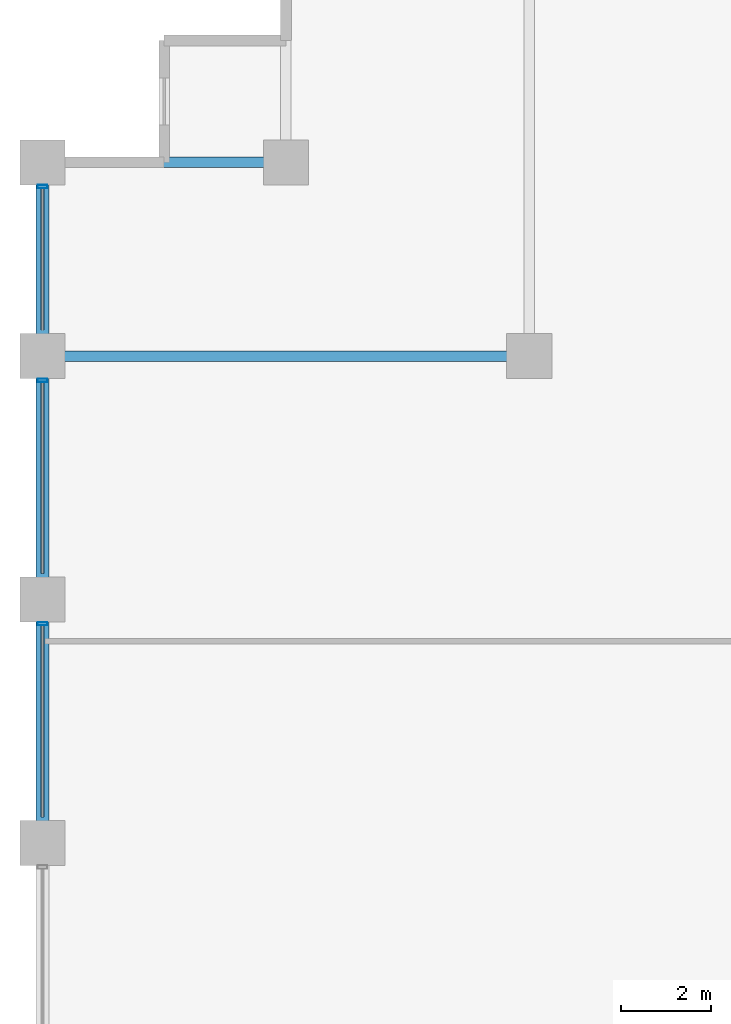
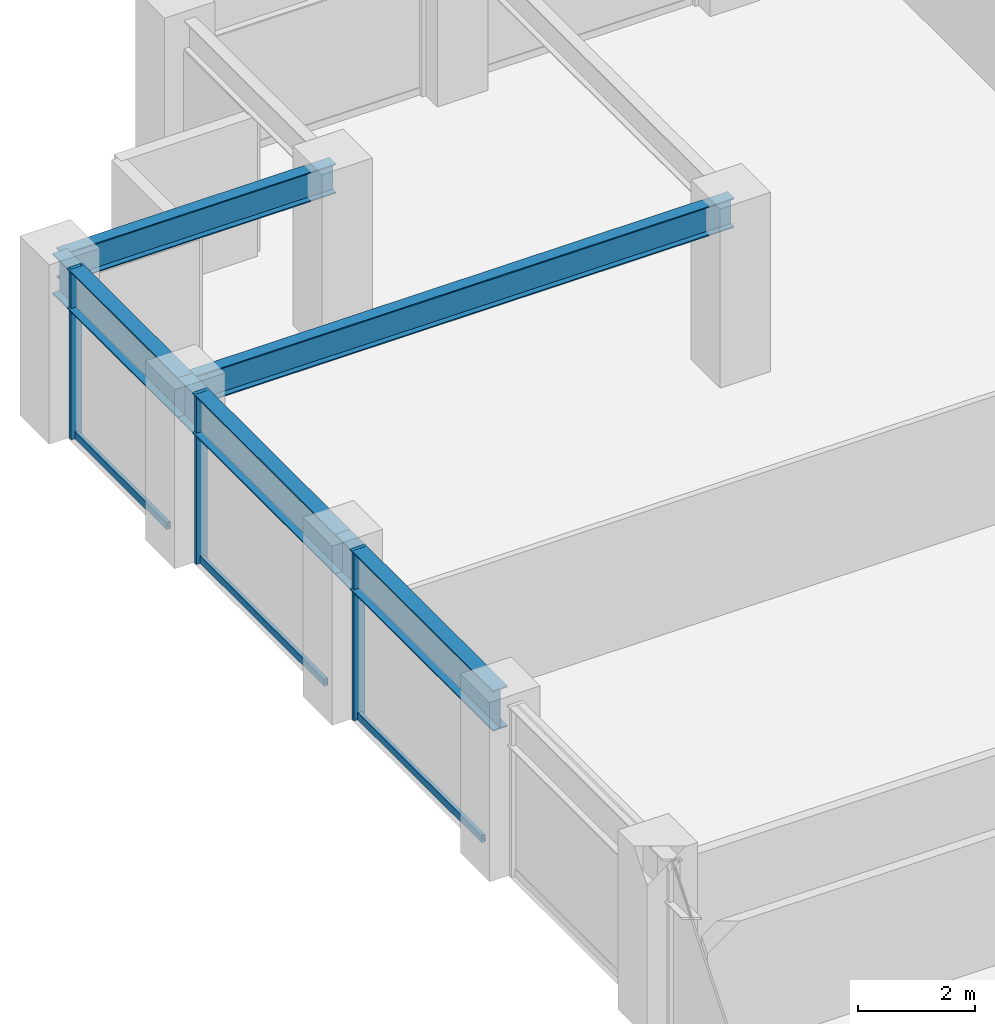
# One storey, part 10 of 23: 6 members, 5 beams, 1 element without a shape of its own.
"""IFC4 building model written with IfcOpenShell, lengths in metres."""

from ifc_helpers import new_model, si_unit, direction, frame, origin, origin_2d, place, context, subcontext, project, spatial, hollow_rectangle, i_section, extrude, material, layer, layer_set, material_profile, profile_set, type_object, element, aggregate, save


model = new_model("IFC4")

# Units and contexts
model_context = context("Model", 3, precision=1e-05, world=origin(), true_north=direction((0.0, 1.0)))
body_context = subcontext(model_context, "Body", "Model", "MODEL_VIEW")
ifc_project = project(units=[si_unit("LENGTHUNIT", "METRE"), si_unit("AREAUNIT", "SQUARE_METRE"), si_unit("VOLUMEUNIT", "CUBIC_METRE"), si_unit("PLANEANGLEUNIT", "RADIAN"), si_unit("MASSUNIT", "GRAM", prefix="KILO")], contexts=[model_context])

# Site, building, storey
site_placement = place(None, origin())
site = spatial("IfcSite", under=ifc_project, at=site_placement, CompositionType="ELEMENT")
building_placement = place(site_placement, origin())
building = spatial("IfcBuilding", under=site, at=building_placement, Name="Surkhivell Harbour Commons", CompositionType="ELEMENT")
storey_placement = place(building_placement, frame((0.0, 0.0, 128.25)))
storey = spatial("IfcBuildingStorey", under=building, at=storey_placement, Name="L33", CompositionType="ELEMENT", Elevation=128.25)

# Beams
ifc_material_1 = material(Name="Steel S355", Category="steel")
ifc_material_profile_1 = material_profile(ifc_material_1, i_section(OverallWidth=0.22998046875, OverallDepth=0.616943359375, WebThickness=0.01318359375, FlangeThickness=0.022216796875, at=origin_2d()), Name="UB610x229x140")
ifc_profile_set_1 = profile_set([ifc_material_profile_1], Name="Steel S355")
beam_type_1 = type_object("IfcBeamType", Name="BM-GRD-610B", PredefinedType="BEAM", material=ifc_profile_set_1)
beam_1_placement = place(storey_placement, frame((-32.39990234375, 16.199951171875, 3.261474609375), z_axis=(1.0, 0.0, 0.0), x_axis=(0.0, 1.0, 0.0)))
element("IfcBeam", 1, at=beam_1_placement, inside=storey, type_object=beam_type_1, Name="L33 Floor Girder (-32.4,16.2)", PredefinedType="BEAM", context=body_context, shape_type="SweptSolid", body=[
    extrude(i_section(OverallWidth=0.22998046875, OverallDepth=0.616943359375, WebThickness=0.01318359375, FlangeThickness=0.022216796875, at=origin_2d()), origin(), (0.0, 0.0, 1.0), 10.7998046875),
])
beam_2_placement = place(storey_placement, frame((-32.39990234375, 20.5, 3.261474609375), z_axis=(1.0, 0.0, 0.0), x_axis=(0.0, 1.0, 0.0)))
element("IfcBeam", 2, at=beam_2_placement, inside=storey, type_object=beam_type_1, Name="L33 Floor Girder (-32.4,20.5)", PredefinedType="BEAM", context=body_context, shape_type="SweptSolid", body=[
    extrude(i_section(OverallWidth=0.22998046875, OverallDepth=0.616943359375, WebThickness=0.01318359375, FlangeThickness=0.022216796875, at=origin_2d()), origin(), (0.0, 0.0, 1.0), 5.39990234375),
])
ifc_material_2 = material(Name="Steel S460", Category="steel")
ifc_material_profile_2 = material_profile(ifc_material_2, i_section(OverallWidth=0.2939453125, OverallDepth=0.85107421875, WebThickness=0.01611328125, FlangeThickness=0.02685546875, at=origin_2d()), Name="UB838x292x226")
ifc_profile_set_2 = profile_set([ifc_material_profile_2], Name="Steel S460")
beam_type_2 = type_object("IfcBeamType", Name="BM-SPN-838", PredefinedType="SPANDREL", material=ifc_profile_set_2)
beam_3_placement = place(storey_placement, frame((-32.39990234375, 5.39990234375, 3.14453125), z_axis=(0.0, 1.0, 0.0), x_axis=(-1.0, 0.0, 0.0)))
element("IfcBeam", 3, at=beam_3_placement, inside=storey, type_object=beam_type_2, Name="L33 Tube Spandrel (-32.4,5.4)", PredefinedType="SPANDREL", context=body_context, shape_type="SweptSolid", body=[
    extrude(i_section(OverallWidth=0.2939453125, OverallDepth=0.85107421875, WebThickness=0.01611328125, FlangeThickness=0.02685546875, at=origin_2d()), origin(), (0.0, 0.0, 1.0), 5.400146484375),
])
beam_4_placement = place(storey_placement, frame((-32.39990234375, 10.800048828125, 3.14453125), z_axis=(0.0, 1.0, 0.0), x_axis=(-1.0, 0.0, 0.0)))
element("IfcBeam", 4, at=beam_4_placement, inside=storey, type_object=beam_type_2, Name="L33 Tube Spandrel (-32.4,10.8)", PredefinedType="SPANDREL", context=body_context, shape_type="SweptSolid", body=[
    extrude(i_section(OverallWidth=0.2939453125, OverallDepth=0.85107421875, WebThickness=0.01611328125, FlangeThickness=0.02685546875, at=origin_2d()), origin(), (0.0, 0.0, 1.0), 5.39990234375),
])
beam_5_placement = place(storey_placement, frame((-32.39990234375, 16.199951171875, 3.14453125), z_axis=(0.0, 1.0, 0.0), x_axis=(-1.0, 0.0, 0.0)))
element("IfcBeam", 5, at=beam_5_placement, inside=storey, type_object=beam_type_2, Name="L33 Tube Spandrel (-32.4,16.2)", PredefinedType="SPANDREL", context=body_context, shape_type="SweptSolid", body=[
    extrude(i_section(OverallWidth=0.2939453125, OverallDepth=0.85107421875, WebThickness=0.01611328125, FlangeThickness=0.02685546875, at=origin_2d()), origin(), (0.0, 0.0, 1.0), 4.300048828125),
])

# Curtain wall, members
ifc_material_3 = material(Name="Anodised pale-metal aluminium and insulated glazing", Category="aluminium")
ifc_layer = layer(ifc_material_3, 0.205078125)
ifc_layer_set = layer_set([ifc_layer], Name="Anodised pale-metal aluminium and insulated glazing")
curtain_wall_type = type_object("IfcCurtainWallType", Name="CW-SYS-Z2", PredefinedType="NOTDEFINED", material=ifc_layer_set)
curtain_wall_placement = place(storey_placement, origin())
curtain_wall = element("IfcCurtainWall", 6, at=curtain_wall_placement, inside=storey, type_object=curtain_wall_type, Name="L33 Curtain Wall CW-L33-E12S1", PredefinedType="NOTDEFINED")
ifc_material_4 = material(Name="Anodised pale-metal aluminium alloy 6063-T6", Category="aluminium")
ifc_material_profile_3 = material_profile(ifc_material_4, hollow_rectangle(XDim=0.074951171875, YDim=0.219970703125, WallThickness=0.00390625, at=origin_2d()), Name="ALU-MULL-75x220")
ifc_profile_set_3 = profile_set([ifc_material_profile_3], Name="Anodised pale-metal aluminium alloy 6063-T6")
member_type_1 = type_object("IfcMemberType", Name="CWM-220", PredefinedType="MULLION", material=ifc_profile_set_3)
member_1_placement = place(storey_placement, frame((-32.39990234375, 19.96044921875, 0.0), z_axis=(0.0, 0.0, 1.0), x_axis=(0.0, -1.0, 0.0)))
member_1 = element("IfcMember", 7, at=member_1_placement, type_object=member_type_1, Name="CW-Z2 mullion 1", PredefinedType="MULLION", context=body_context, shape_type="SweptSolid", body=[
    extrude(hollow_rectangle(XDim=0.074951171875, YDim=0.219970703125, WallThickness=0.00390625, at=origin_2d()), origin(), (0.0, 0.0, 1.0), 3.570068359375),
])
member_2_placement = place(storey_placement, frame((-32.39990234375, 15.660400390625, 0.0), z_axis=(0.0, 0.0, 1.0), x_axis=(0.0, -1.0, 0.0)))
member_2 = element("IfcMember", 8, at=member_2_placement, type_object=member_type_1, Name="CW-Z2 mullion 2", PredefinedType="MULLION", context=body_context, shape_type="SweptSolid", body=[
    extrude(hollow_rectangle(XDim=0.074951171875, YDim=0.219970703125, WallThickness=0.00390625, at=origin_2d()), origin(), (0.0, 0.0, 1.0), 3.570068359375),
])
member_3_placement = place(storey_placement, frame((-32.39990234375, 10.260498046875, 0.0), z_axis=(0.0, 0.0, 1.0), x_axis=(0.0, -1.0, 0.0)))
member_3 = element("IfcMember", 9, at=member_3_placement, type_object=member_type_1, Name="CW-Z2 mullion 3", PredefinedType="MULLION", context=body_context, shape_type="SweptSolid", body=[
    extrude(hollow_rectangle(XDim=0.074951171875, YDim=0.219970703125, WallThickness=0.00390625, at=origin_2d()), origin(), (0.0, 0.0, 1.0), 3.570068359375),
])
ifc_material_profile_4 = material_profile(ifc_material_4, hollow_rectangle(XDim=0.074951171875, YDim=0.14990234375, WallThickness=0.00341796875, at=origin_2d()), Name="ALU-TRAN-75x150")
ifc_profile_set_4 = profile_set([ifc_material_profile_4], Name="Anodised pale-metal aluminium alloy 6063-T6")
member_type_2 = type_object("IfcMemberType", Name="CWT-150", PredefinedType="USERDEFINED", material=ifc_profile_set_4)
member_4_placement = place(storey_placement, frame((-32.39990234375, 19.923095703125, 0.074951171875), z_axis=(0.0, -1.0, 0.0), x_axis=(1.0, 0.0, 0.0)))
member_4 = element("IfcMember", 10, at=member_4_placement, type_object=member_type_2, Name="CW-Z2 transom 1.1", ObjectType="TRANSOM", PredefinedType="USERDEFINED", context=body_context, shape_type="SweptSolid", body=[
    extrude(hollow_rectangle(XDim=0.074951171875, YDim=0.14990234375, WallThickness=0.00341796875, at=origin_2d()), origin(), (0.0, 0.0, 1.0), 3.14599609375),
])
member_5_placement = place(storey_placement, frame((-32.39990234375, 15.623046875, 0.074951171875), z_axis=(0.0, -1.0, 0.0), x_axis=(1.0, 0.0, 0.0)))
member_5 = element("IfcMember", 11, at=member_5_placement, type_object=member_type_2, Name="CW-Z2 transom 2.1", ObjectType="TRANSOM", PredefinedType="USERDEFINED", context=body_context, shape_type="SweptSolid", body=[
    extrude(hollow_rectangle(XDim=0.074951171875, YDim=0.14990234375, WallThickness=0.00341796875, at=origin_2d()), origin(), (0.0, 0.0, 1.0), 4.24609375),
])
member_6_placement = place(storey_placement, frame((-32.39990234375, 10.222900390625, 0.074951171875), z_axis=(0.0, -1.0, 0.0), x_axis=(1.0, 0.0, 0.0)))
member_6 = element("IfcMember", 12, at=member_6_placement, type_object=member_type_2, Name="CW-Z2 transom 3.1", ObjectType="TRANSOM", PredefinedType="USERDEFINED", context=body_context, shape_type="SweptSolid", body=[
    extrude(hollow_rectangle(XDim=0.074951171875, YDim=0.14990234375, WallThickness=0.00341796875, at=origin_2d()), origin(), (0.0, 0.0, 1.0), 4.245849609375),
])
aggregate(curtain_wall, [member_1, member_4, member_2, member_5, member_3, member_6])

save(model, "model.ifc")
